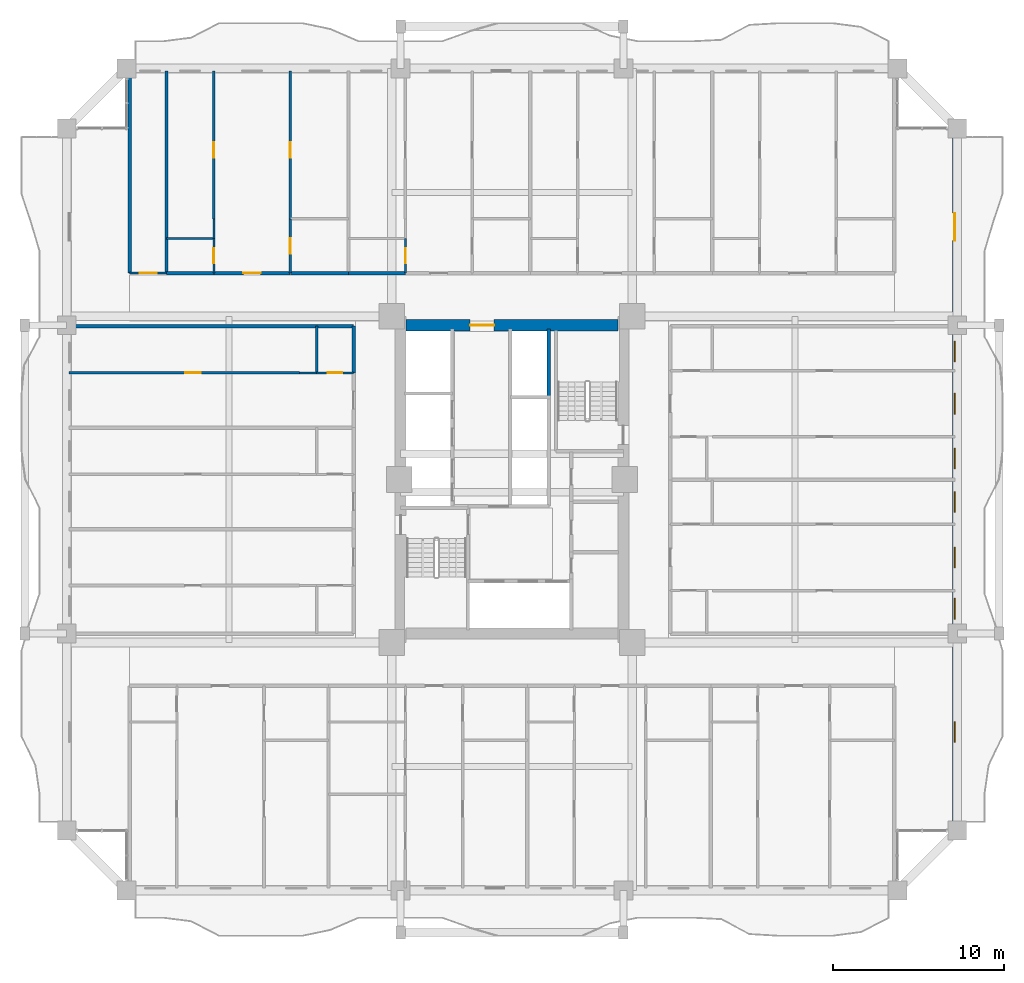
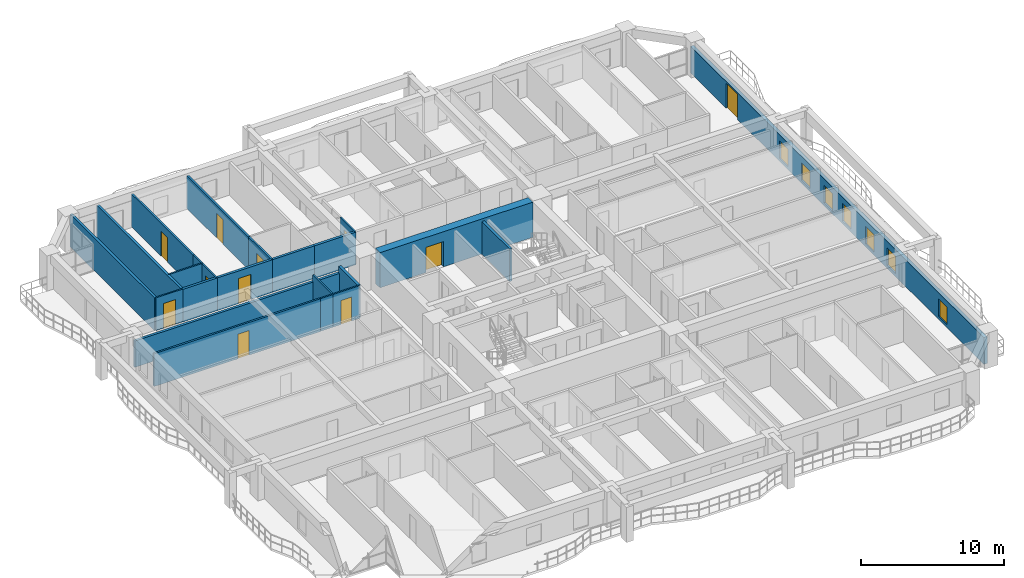
# One storey, part 18 of 27: 23 walls, 11 doors, 7 windows, 18 openings.
"""IFC4 building model written with IfcOpenShell, lengths in metres."""

from ifc_helpers import new_model, si_unit, direction, frame, frame_2d, origin, place, context, subcontext, project, spatial, rectangle, extrude, source, transform, mapped, material, layer, layer_set, type_object, element, fill, save


model = new_model("IFC4")

# Units and contexts
model_context = context("Model", 3, precision=1e-05, world=origin(), true_north=direction((0.0, 1.0)))
body_context = subcontext(model_context, "Body", "Model", "MODEL_VIEW")
ifc_project = project(units=[si_unit("LENGTHUNIT", "METRE"), si_unit("AREAUNIT", "SQUARE_METRE"), si_unit("VOLUMEUNIT", "CUBIC_METRE"), si_unit("PLANEANGLEUNIT", "RADIAN"), si_unit("MASSUNIT", "GRAM", prefix="KILO")], contexts=[model_context])

# Site, building, storey
site_placement = place(None, origin())
site = spatial("IfcSite", under=ifc_project, at=site_placement, CompositionType="ELEMENT")
building_placement = place(site_placement, origin())
building = spatial("IfcBuilding", under=site, at=building_placement, Name="Saelheon Loggia Tower", CompositionType="ELEMENT")
storey_placement = place(building_placement, frame((0.0, 0.0, 34.39990234375)))
storey = spatial("IfcBuildingStorey", under=building, at=storey_placement, Name="L10", CompositionType="ELEMENT", Elevation=34.39990234375)

# Wall, opening, door
ifc_material_1 = material(Name="Concrete C60/75", Category="concrete")
ifc_layer_1 = layer(ifc_material_1, 0.64990234375)
ifc_layer_set_1 = layer_set([ifc_layer_1], Name="Concrete C60/75")
wall_type_1 = type_object("IfcWallType", Name="Wall_CoreShear_650", PredefinedType="SHEAR", material=ifc_layer_set_1)
wall_1_placement = place(storey_placement, frame((31.824951171875, 36.0, 0.0), z_axis=(0.0, 0.0, 1.0), x_axis=(1.0, 0.0, 0.0)))
wall_1 = element("IfcWall", 1, at=wall_1_placement, inside=storey, type_object=wall_type_1, Name="L10 Core Shear Wall North", PredefinedType="SHEAR", context=body_context, shape_type="SweptSolid", body=[
    extrude(rectangle(XDim=12.35009765625, YDim=0.64990234375, at=frame_2d((6.175048828125, 0.0))), origin(), (0.0, 0.0, 1.0), 3.0),
])
opening_1_placement = place(wall_1_placement, frame((5.125, 0.0, 0.0), z_axis=(0.0, 0.0, 1.0), x_axis=(-1.0, 0.0, 0.0)))
opening_1 = element("IfcOpeningElement", 2, at=opening_1_placement, cuts=wall_1, Name="Opening D-FD2L", PredefinedType="OPENING", context=body_context, shape_type="SweptSolid", body=[
    extrude(rectangle(XDim=1.39990234375, YDim=2.14990234375, at=frame_2d((0.699951171875, 1.074951171875))), frame((0.0, 0.3369140625, 0.0), z_axis=(0.0, -1.0, 0.0), x_axis=(1.0, 0.0, 0.0)), (0.0, 0.0, 1.0), 0.673828125),
])
ifc_material_2 = material(Name="Galvanised Steel Glazed Lobby Fire Door", Category="steel")
door_type_1 = type_object("IfcDoorType", Name="Door_Fire_FD60_1400", OperationType="NOTDEFINED", PredefinedType="DOOR", material=ifc_material_2)
shared_shape_1 = source(origin(), body_context, "Body", "SweptSolid", [
    extrude(rectangle(XDim=1.39990234375, YDim=2.14990234375, at=frame_2d((0.699951171875, 1.074951171875))), frame((0.0, 0.02490234375, 0.0), z_axis=(0.0, -1.0, 0.0), x_axis=(1.0, 0.0, 0.0)), (0.0, 0.0, 1.0), 0.050048828125),
])
door_1_placement = place(opening_1_placement, origin())
door_1 = element("IfcDoor", 3, at=door_1_placement, inside=storey, type_object=door_type_1, Name="L10 Passenger Lift Lobby Main Door", OperationType="SINGLE_SWING_RIGHT", OverallHeight=2.14990234375, OverallWidth=1.39990234375, PredefinedType="DOOR", context=body_context, shape_type="MappedRepresentation", body=[
    mapped(shared_shape_1, transform((0.0, 0.0, 0.0), scale=1.0)),
])
fill(opening_1, door_1)

# Wall, openings, windows, door
ifc_material_3 = material(Name="Architectural Precast Concrete C40/50", Category="concrete")
ifc_layer_2 = layer(ifc_material_3, 0.280029296875)
ifc_layer_set_2 = layer_set([ifc_layer_2], Name="Architectural Precast Concrete C40/50")
wall_type_2 = type_object("IfcWallType", Name="Wall_Ext_Loggia_280", PredefinedType="SOLIDWALL", material=ifc_layer_set_2)
wall_2_placement = place(storey_placement, frame((63.860107421875, 6.5, 0.0), z_axis=(0.0, 0.0, 1.0), x_axis=(0.0, 1.0, 0.0)))
wall_2 = element("IfcWall", 4, at=wall_2_placement, inside=storey, type_object=wall_type_2, Name="L10 East Loggia Inner Wall", PredefinedType="SOLIDWALL", context=body_context, shape_type="SweptSolid", body=[
    extrude(rectangle(XDim=41.0, YDim=0.280029296875, at=frame_2d((20.5, 0.0))), origin(), (0.0, 0.0, 1.0), 2.280029296875),
])
opening_2_placement = place(wall_2_placement, frame((5.14990234375, 0.0, 0.25)))
opening_2 = element("IfcOpeningElement", 5, at=opening_2_placement, cuts=wall_2, Name="Opening WN-03", PredefinedType="OPENING", context=body_context, shape_type="SweptSolid", body=[
    extrude(rectangle(XDim=1.199951171875, YDim=1.5, at=frame_2d((0.60009765625, 0.75))), frame((0.0, 0.152099609375, 0.0), z_axis=(0.0, -1.0, 0.0), x_axis=(1.0, 0.0, 0.0)), (0.0, 0.0, 1.0), 0.303955078125),
])
opening_3_placement = place(wall_2_placement, frame((12.3515625, 0.0, 0.25)))
opening_3 = element("IfcOpeningElement", 6, at=opening_3_placement, cuts=wall_2, Name="Opening WN-03", PredefinedType="OPENING", context=body_context, shape_type="SweptSolid", body=[
    extrude(rectangle(XDim=1.199951171875, YDim=1.5, at=frame_2d((0.60009765625, 0.75))), frame((0.0, 0.152099609375, 0.0), z_axis=(0.0, -1.0, 0.0), x_axis=(1.0, 0.0, 0.0)), (0.0, 0.0, 1.0), 0.303955078125),
])
opening_4_placement = place(wall_2_placement, frame((15.343994140625, 0.0, 0.25)))
opening_4 = element("IfcOpeningElement", 7, at=opening_4_placement, cuts=wall_2, Name="Opening WN-03", PredefinedType="OPENING", context=body_context, shape_type="SweptSolid", body=[
    extrude(rectangle(XDim=1.199951171875, YDim=1.5, at=frame_2d((0.60009765625, 0.75))), frame((0.0, 0.152099609375, 0.0), z_axis=(0.0, -1.0, 0.0), x_axis=(1.0, 0.0, 0.0)), (0.0, 0.0, 1.0), 0.303955078125),
])
opening_5_placement = place(wall_2_placement, frame((18.574951171875, 0.0, 0.25)))
opening_5 = element("IfcOpeningElement", 8, at=opening_5_placement, cuts=wall_2, Name="Opening WN-03", PredefinedType="OPENING", context=body_context, shape_type="SweptSolid", body=[
    extrude(rectangle(XDim=1.199951171875, YDim=1.5, at=frame_2d((0.60009765625, 0.75))), frame((0.0, 0.152099609375, 0.0), z_axis=(0.0, -1.0, 0.0), x_axis=(1.0, 0.0, 0.0)), (0.0, 0.0, 1.0), 0.303955078125),
])
opening_6_placement = place(wall_2_placement, frame((21.131591796875, 0.0, 0.25)))
opening_6 = element("IfcOpeningElement", 9, at=opening_6_placement, cuts=wall_2, Name="Opening WN-03", PredefinedType="OPENING", context=body_context, shape_type="SweptSolid", body=[
    extrude(rectangle(XDim=1.199951171875, YDim=1.5, at=frame_2d((0.60009765625, 0.75))), frame((0.0, 0.152099609375, 0.0), z_axis=(0.0, -1.0, 0.0), x_axis=(1.0, 0.0, 0.0)), (0.0, 0.0, 1.0), 0.303955078125),
])
opening_7_placement = place(wall_2_placement, frame((24.319091796875, 0.0, 0.25)))
opening_7 = element("IfcOpeningElement", 10, at=opening_7_placement, cuts=wall_2, Name="Opening WN-03", PredefinedType="OPENING", context=body_context, shape_type="SweptSolid", body=[
    extrude(rectangle(XDim=1.199951171875, YDim=1.5, at=frame_2d((0.60009765625, 0.75))), frame((0.0, 0.152099609375, 0.0), z_axis=(0.0, -1.0, 0.0), x_axis=(1.0, 0.0, 0.0)), (0.0, 0.0, 1.0), 0.303955078125),
])
opening_8_placement = place(wall_2_placement, frame((27.3798828125, 0.0, 0.25)))
opening_8 = element("IfcOpeningElement", 11, at=opening_8_placement, cuts=wall_2, Name="Opening WN-03", PredefinedType="OPENING", context=body_context, shape_type="SweptSolid", body=[
    extrude(rectangle(XDim=1.199951171875, YDim=1.5, at=frame_2d((0.60009765625, 0.75))), frame((0.0, 0.152099609375, 0.0), z_axis=(0.0, -1.0, 0.0), x_axis=(1.0, 0.0, 0.0)), (0.0, 0.0, 1.0), 0.303955078125),
])
opening_9_placement = place(wall_2_placement, frame((36.050048828125, 0.0, 0.0), z_axis=(0.0, 0.0, 1.0), x_axis=(-1.0, 0.0, 0.0)))
opening_9 = element("IfcOpeningElement", 12, at=opening_9_placement, cuts=wall_2, Name="Opening DLG-1", PredefinedType="OPENING", context=body_context, shape_type="SweptSolid", body=[
    extrude(rectangle(XDim=1.60009765625, YDim=2.14990234375, at=frame_2d((0.800048828125, 1.074951171875))), frame((0.0, 0.152099609375, 0.0), z_axis=(0.0, -1.0, 0.0), x_axis=(1.0, 0.0, 0.0)), (0.0, 0.0, 1.0), 0.303955078125),
])
ifc_material_4 = material(Name="Thermal-Break Aluminium and Triple Low-E Glass", Category="aluminium")
window_type = type_object("IfcWindowType", Name="Win_Bedroom_1200x1500", PartitioningType="SINGLE_PANEL", PredefinedType="WINDOW", material=ifc_material_4)
shared_shape_2 = source(origin(), body_context, "Body", "SweptSolid", [
    extrude(rectangle(XDim=1.199951171875, YDim=1.5, at=frame_2d((0.60009765625, 0.75))), frame((0.0, 0.030029296875, 0.0), z_axis=(0.0, -1.0, 0.0), x_axis=(1.0, 0.0, 0.0)), (0.0, 0.0, 1.0), 0.06005859375),
])
window_1_placement = place(opening_2_placement, origin())
window_1 = element("IfcWindow", 13, at=window_1_placement, inside=storey, type_object=window_type, Name="L10 E Dwelling Window 1", OverallHeight=1.5, OverallWidth=1.199951171875, PartitioningType="SINGLE_PANEL", PredefinedType="WINDOW", context=body_context, shape_type="MappedRepresentation", body=[
    mapped(shared_shape_2, transform((0.0, 0.0, 0.0), scale=1.0)),
])
fill(opening_2, window_1)
window_2_placement = place(opening_3_placement, origin())
window_2 = element("IfcWindow", 14, at=window_2_placement, inside=storey, type_object=window_type, Name="L10 E Dwelling Window 2", OverallHeight=1.5, OverallWidth=1.199951171875, PartitioningType="SINGLE_PANEL", PredefinedType="WINDOW", context=body_context, shape_type="MappedRepresentation", body=[
    mapped(shared_shape_2, transform((0.0, 0.0, 0.0), scale=1.0)),
])
fill(opening_3, window_2)
window_3_placement = place(opening_4_placement, origin())
window_3 = element("IfcWindow", 15, at=window_3_placement, inside=storey, type_object=window_type, Name="L10 E Dwelling Window 3", OverallHeight=1.5, OverallWidth=1.199951171875, PartitioningType="SINGLE_PANEL", PredefinedType="WINDOW", context=body_context, shape_type="MappedRepresentation", body=[
    mapped(shared_shape_2, transform((0.0, 0.0, 0.0), scale=1.0)),
])
fill(opening_4, window_3)
window_4_placement = place(opening_5_placement, origin())
window_4 = element("IfcWindow", 16, at=window_4_placement, inside=storey, type_object=window_type, Name="L10 E Dwelling Window 4", OverallHeight=1.5, OverallWidth=1.199951171875, PartitioningType="SINGLE_PANEL", PredefinedType="WINDOW", context=body_context, shape_type="MappedRepresentation", body=[
    mapped(shared_shape_2, transform((0.0, 0.0, 0.0), scale=1.0)),
])
fill(opening_5, window_4)
window_5_placement = place(opening_6_placement, origin())
window_5 = element("IfcWindow", 17, at=window_5_placement, inside=storey, type_object=window_type, Name="L10 E Dwelling Window 5", OverallHeight=1.5, OverallWidth=1.199951171875, PartitioningType="SINGLE_PANEL", PredefinedType="WINDOW", context=body_context, shape_type="MappedRepresentation", body=[
    mapped(shared_shape_2, transform((0.0, 0.0, 0.0), scale=1.0)),
])
fill(opening_6, window_5)
window_6_placement = place(opening_7_placement, origin())
window_6 = element("IfcWindow", 18, at=window_6_placement, inside=storey, type_object=window_type, Name="L10 E Dwelling Window 6", OverallHeight=1.5, OverallWidth=1.199951171875, PartitioningType="SINGLE_PANEL", PredefinedType="WINDOW", context=body_context, shape_type="MappedRepresentation", body=[
    mapped(shared_shape_2, transform((0.0, 0.0, 0.0), scale=1.0)),
])
fill(opening_7, window_6)
window_7_placement = place(opening_8_placement, origin())
window_7 = element("IfcWindow", 19, at=window_7_placement, inside=storey, type_object=window_type, Name="L10 E Dwelling Window 7", OverallHeight=1.5, OverallWidth=1.199951171875, PartitioningType="SINGLE_PANEL", PredefinedType="WINDOW", context=body_context, shape_type="MappedRepresentation", body=[
    mapped(shared_shape_2, transform((0.0, 0.0, 0.0), scale=1.0)),
])
fill(opening_8, window_7)
ifc_material_5 = material(Name="Thermal-Break Aluminium Sliding Glazed Door", Category="aluminium")
door_type_2 = type_object("IfcDoorType", Name="Door_LoggiaSlide_1600", OperationType="SLIDING_TO_LEFT", PredefinedType="DOOR", material=ifc_material_5)
shared_shape_3 = source(origin(), body_context, "Body", "SweptSolid", [
    extrude(rectangle(XDim=1.60009765625, YDim=2.14990234375, at=frame_2d((0.800048828125, 1.074951171875))), frame((0.0, 0.02490234375, 0.0), z_axis=(0.0, -1.0, 0.0), x_axis=(1.0, 0.0, 0.0)), (0.0, 0.0, 1.0), 0.050048828125),
])
door_2_placement = place(opening_9_placement, origin())
door_2 = element("IfcDoor", 20, at=door_2_placement, inside=storey, type_object=door_type_2, Name="L10 E Loggia Access Door", OperationType="SLIDING_TO_LEFT", OverallHeight=2.14990234375, OverallWidth=1.60009765625, PredefinedType="DOOR", context=body_context, shape_type="MappedRepresentation", body=[
    mapped(shared_shape_3, transform((0.0, 0.0, 0.0), scale=1.0)),
])
fill(opening_9, door_2)

# Wall, opening, door
ifc_material_6 = material(Name="Lightweight Autoclaved Aerated Concrete Block and Acoustic Gypsum", Category="concrete")
ifc_layer_3 = layer(ifc_material_6, 0.14990234375)
ifc_layer_set_3 = layer_set([ifc_layer_3], Name="Lightweight Autoclaved Aerated Concrete Block and Acoustic Gypsum")
wall_type_3 = type_object("IfcWallType", Name="Wall_Part_150", PredefinedType="PARTITIONING", material=ifc_layer_set_3)
wall_3_placement = place(storey_placement, frame((20.591796875, 42.219970703125, 0.0), z_axis=(0.0, 0.0, 1.0), x_axis=(0.0, 1.0, 0.0)))
wall_3 = element("IfcWall", 21, at=wall_3_placement, inside=storey, type_object=wall_type_3, Name="L10 N Partition U12", PredefinedType="PARTITIONING", context=body_context, shape_type="SweptSolid", body=[
    extrude(rectangle(XDim=8.630126953125, YDim=0.14990234375, at=frame_2d((4.31494140625, 0.0))), origin(), (0.0, 0.0, 1.0), 2.7900390625),
])
opening_10_placement = place(wall_3_placement, frame((3.56298828125, 0.0, 0.0)))
opening_10 = element("IfcOpeningElement", 22, at=opening_10_placement, cuts=wall_3, Name="Opening D-IN2", PredefinedType="OPENING", context=body_context, shape_type="SweptSolid", body=[
    extrude(rectangle(XDim=0.89990234375, YDim=2.10009765625, at=frame_2d((0.449951171875, 1.050048828125))), frame((0.0, 0.0869140625, 0.0), z_axis=(0.0, -1.0, 0.0), x_axis=(1.0, 0.0, 0.0)), (0.0, 0.0, 1.0), 0.173828125),
])
ifc_material_7 = material(Name="Engineered Oak Flush Door", Category="timber")
door_type_3 = type_object("IfcDoorType", Name="Door_Int_900", OperationType="NOTDEFINED", PredefinedType="DOOR", material=ifc_material_7)
shared_shape_4 = source(origin(), body_context, "Body", "SweptSolid", [
    extrude(rectangle(XDim=0.89990234375, YDim=2.10009765625, at=frame_2d((0.449951171875, 1.050048828125))), frame((0.0, 0.02490234375, 0.0), z_axis=(0.0, -1.0, 0.0), x_axis=(1.0, 0.0, 0.0)), (0.0, 0.0, 1.0), 0.050048828125),
])
door_3_placement = place(opening_10_placement, origin())
door_3 = element("IfcDoor", 23, at=door_3_placement, inside=storey, type_object=door_type_3, Name="Unit U05 Bedroom 2 Door", OperationType="SINGLE_SWING_LEFT", OverallHeight=2.10009765625, OverallWidth=0.89990234375, PredefinedType="DOOR", context=body_context, shape_type="MappedRepresentation", body=[
    mapped(shared_shape_4, transform((0.0, 0.0, 0.0), scale=1.0)),
])
fill(opening_10, door_3)

wall_4_placement = place(storey_placement, frame((25.05322265625, 39.050048828125, 0.0), z_axis=(0.0, 0.0, 1.0), x_axis=(0.0, 1.0, 0.0)))
wall_4 = element("IfcWall", 24, at=wall_4_placement, inside=storey, type_object=wall_type_3, Name="L10 N Partition U13", PredefinedType="PARTITIONING", context=body_context, shape_type="SweptSolid", body=[
    extrude(rectangle(XDim=3.169921875, YDim=0.14990234375, at=frame_2d((1.5849609375, 0.0))), origin(), (0.0, 0.0, 1.0), 2.7900390625),
])
opening_11_placement = place(wall_4_placement, frame((1.135009765625, 0.0, 0.0)))
opening_11 = element("IfcOpeningElement", 25, at=opening_11_placement, cuts=wall_4, Name="Opening D-IN2", PredefinedType="OPENING", context=body_context, shape_type="SweptSolid", body=[
    extrude(rectangle(XDim=0.89990234375, YDim=2.10009765625, at=frame_2d((0.449951171875, 1.050048828125))), frame((0.0, 0.0869140625, 0.0), z_axis=(0.0, -1.0, 0.0), x_axis=(1.0, 0.0, 0.0)), (0.0, 0.0, 1.0), 0.173828125),
])
door_4_placement = place(opening_11_placement, origin())
door_4 = element("IfcDoor", 26, at=door_4_placement, inside=storey, type_object=door_type_3, Name="Unit U05 Kitchen Door", OperationType="SINGLE_SWING_RIGHT", OverallHeight=2.10009765625, OverallWidth=0.89990234375, PredefinedType="DOOR", context=body_context, shape_type="MappedRepresentation", body=[
    mapped(shared_shape_4, transform((0.0, 0.0, 0.0), scale=1.0)),
])
fill(opening_11, door_4)

wall_5_placement = place(storey_placement, frame((25.05322265625, 42.219970703125, 0.0), z_axis=(0.0, 0.0, 1.0), x_axis=(0.0, 1.0, 0.0)))
wall_5 = element("IfcWall", 27, at=wall_5_placement, inside=storey, type_object=wall_type_3, Name="L10 N Partition U14", PredefinedType="PARTITIONING", context=body_context, shape_type="SweptSolid", body=[
    extrude(rectangle(XDim=8.630126953125, YDim=0.14990234375, at=frame_2d((4.31494140625, 0.0))), origin(), (0.0, 0.0, 1.0), 2.7900390625),
])
opening_12_placement = place(wall_5_placement, frame((3.56298828125, 0.0, 0.0)))
opening_12 = element("IfcOpeningElement", 28, at=opening_12_placement, cuts=wall_5, Name="Opening D-IN2", PredefinedType="OPENING", context=body_context, shape_type="SweptSolid", body=[
    extrude(rectangle(XDim=0.89990234375, YDim=2.10009765625, at=frame_2d((0.449951171875, 1.050048828125))), frame((0.0, 0.0869140625, 0.0), z_axis=(0.0, -1.0, 0.0), x_axis=(1.0, 0.0, 0.0)), (0.0, 0.0, 1.0), 0.173828125),
])
door_5_placement = place(opening_12_placement, origin())
door_5 = element("IfcDoor", 29, at=door_5_placement, inside=storey, type_object=door_type_3, Name="Unit U05 Bedroom 1 Door", OperationType="SINGLE_SWING_LEFT", OverallHeight=2.10009765625, OverallWidth=0.89990234375, PredefinedType="DOOR", context=body_context, shape_type="MappedRepresentation", body=[
    mapped(shared_shape_4, transform((0.0, 0.0, 0.0), scale=1.0)),
])
fill(opening_12, door_5)

wall_6_placement = place(storey_placement, frame((25.580078125, 33.22509765625, 0.0), z_axis=(0.0, 0.0, 1.0), x_axis=(-1.0, 0.0, 0.0)))
wall_6 = element("IfcWall", 30, at=wall_6_placement, inside=storey, type_object=wall_type_3, Name="L10 W Partition U22", PredefinedType="PARTITIONING", context=body_context, shape_type="SweptSolid", body=[
    extrude(rectangle(XDim=13.43017578125, YDim=0.14990234375, at=frame_2d((6.715087890625, 0.0))), origin(), (0.0, 0.0, 1.0), 2.7900390625),
])
opening_13_placement = place(wall_6_placement, frame((5.762939453125, 0.0, 0.0)))
opening_13 = element("IfcOpeningElement", 31, at=opening_13_placement, cuts=wall_6, Name="Opening D-IN2", PredefinedType="OPENING", context=body_context, shape_type="SweptSolid", body=[
    extrude(rectangle(XDim=0.89990234375, YDim=2.10009765625, at=frame_2d((0.449951171875, 1.050048828125))), frame((0.0, 0.0869140625, 0.0), z_axis=(0.0, -1.0, 0.0), x_axis=(1.0, 0.0, 0.0)), (0.0, 0.0, 1.0), 0.173828125),
])
door_6_placement = place(opening_13_placement, origin())
door_6 = element("IfcDoor", 32, at=door_6_placement, inside=storey, type_object=door_type_3, Name="Unit U11 Kitchen Door", OperationType="SINGLE_SWING_LEFT", OverallHeight=2.10009765625, OverallWidth=0.89990234375, PredefinedType="DOOR", context=body_context, shape_type="MappedRepresentation", body=[
    mapped(shared_shape_4, transform((0.0, 0.0, 0.0), scale=1.0)),
])
fill(opening_13, door_6)

# Walls
ifc_material_8 = material(Name="Double Acoustic Stud and Fireboard Partition", Category="gypsum")
ifc_layer_4 = layer(ifc_material_8, 0.199951171875)
ifc_layer_set_4 = layer_set([ifc_layer_4], Name="Double Acoustic Stud and Fireboard Partition")
wall_type_4 = type_object("IfcWallType", Name="Wall_Party_200", PredefinedType="PARTITIONING", material=ifc_layer_set_4)
for number, where, z_axis, x_axis, name in (
    (33, (15.679931640625, 39.050048828125, 0.0), (0.0, 0.0, 1.0), (0.0, 1.0, 0.0), "L10 N Partition U01"),
    (34, (17.830078125, 39.050048828125, 0.0), (0.0, 0.0, 1.0), (0.0, 1.0, 0.0), "L10 N Partition U03"),
):
    element("IfcWall", number, at=place(storey_placement, frame(where, z_axis=z_axis, x_axis=x_axis)), inside=storey, type_object=wall_type_4, Name=name, PredefinedType="PARTITIONING", context=body_context, shape_type="SweptSolid", body=[
        extrude(rectangle(XDim=11.800048828125, YDim=0.199951171875, at=frame_2d((5.89990234375, 0.0))), origin(), (0.0, 0.0, 1.0), 2.7900390625),
    ])
wall_7_placement = place(storey_placement, frame((17.830078125, 39.050048828125, 0.0), z_axis=(0.0, 0.0, 1.0), x_axis=(1.0, 0.0, 0.0)))
element("IfcWall", 35, at=wall_7_placement, inside=storey, type_object=wall_type_4, Name="L10 N Partition V05", PredefinedType="PARTITIONING", context=body_context, shape_type="SweptSolid", body=[
    extrude(rectangle(XDim=2.76171875, YDim=0.199951171875, at=frame_2d((1.380859375, 0.0))), origin(), (0.0, 0.0, 1.0), 2.7900390625),
])

# Wall, opening, door
wall_8_placement = place(storey_placement, frame((20.591796875, 39.050048828125, 0.0), z_axis=(0.0, 0.0, 1.0), x_axis=(1.0, 0.0, 0.0)))
wall_8 = element("IfcWall", 36, at=wall_8_placement, inside=storey, type_object=wall_type_4, Name="L10 N Partition V06", PredefinedType="PARTITIONING", context=body_context, shape_type="SweptSolid", body=[
    extrude(rectangle(XDim=4.46142578125, YDim=0.199951171875, at=frame_2d((2.230712890625, 0.0))), origin(), (0.0, 0.0, 1.0), 2.7900390625),
])
opening_14_placement = place(wall_8_placement, frame((1.730712890625, 0.0, 0.0)))
opening_14 = element("IfcOpeningElement", 37, at=opening_14_placement, cuts=wall_8, Name="Opening D-FD1", PredefinedType="OPENING", context=body_context, shape_type="SweptSolid", body=[
    extrude(rectangle(XDim=1.0, YDim=2.14990234375, at=frame_2d((0.5, 1.074951171875))), frame((0.0, 0.112060546875, 0.0), z_axis=(0.0, -1.0, 0.0), x_axis=(1.0, 0.0, 0.0)), (0.0, 0.0, 1.0), 0.223876953125),
])
ifc_material_9 = material(Name="Fire-Rated Engineered Timber Entrance Door", Category="wood")
door_type_4 = type_object("IfcDoorType", Name="Door_Flat_FD30S", OperationType="NOTDEFINED", PredefinedType="DOOR", material=ifc_material_9)
shared_shape_5 = source(origin(), body_context, "Body", "SweptSolid", [
    extrude(rectangle(XDim=1.0, YDim=2.14990234375, at=frame_2d((0.5, 1.074951171875))), frame((0.0, 0.02490234375, 0.0), z_axis=(0.0, -1.0, 0.0), x_axis=(1.0, 0.0, 0.0)), (0.0, 0.0, 1.0), 0.050048828125),
])
door_7_placement = place(opening_14_placement, origin())
door_7 = element("IfcDoor", 38, at=door_7_placement, inside=storey, type_object=door_type_4, Name="Unit U05 Entrance Door", OperationType="SINGLE_SWING_LEFT", OverallHeight=2.14990234375, OverallWidth=1.0, PredefinedType="DOOR", context=body_context, shape_type="MappedRepresentation", body=[
    mapped(shared_shape_5, transform((0.0, 0.0, 0.0), scale=1.0)),
])
fill(opening_14, door_7)

# Walls
wall_9_placement = place(storey_placement, frame((25.05322265625, 39.050048828125, 0.0), z_axis=(0.0, 0.0, 1.0), x_axis=(1.0, 0.0, 0.0)))
element("IfcWall", 39, at=wall_9_placement, inside=storey, type_object=wall_type_4, Name="L10 N Partition V07", PredefinedType="PARTITIONING", context=body_context, shape_type="SweptSolid", body=[
    extrude(rectangle(XDim=3.399169921875, YDim=0.199951171875, at=frame_2d((1.69970703125, 0.0))), origin(), (0.0, 0.0, 1.0), 2.7900390625),
])
wall_10_placement = place(storey_placement, frame((28.452392578125, 39.050048828125, 0.0), z_axis=(0.0, 0.0, 1.0), x_axis=(1.0, 0.0, 0.0)))
element("IfcWall", 40, at=wall_10_placement, inside=storey, type_object=wall_type_4, Name="L10 N Partition V16", PredefinedType="PARTITIONING", context=body_context, shape_type="SweptSolid", body=[
    extrude(rectangle(XDim=3.32763671875, YDim=0.199951171875, at=frame_2d((1.663818359375, 0.0))), origin(), (0.0, 0.0, 1.0), 2.7900390625),
])
wall_11_placement = place(storey_placement, frame((28.75, 35.949951171875, 0.0), z_axis=(0.0, 0.0, 1.0), x_axis=(-1.0, 0.0, 0.0)))
element("IfcWall", 41, at=wall_11_placement, inside=storey, type_object=wall_type_4, Name="L10 W Partition U02", PredefinedType="PARTITIONING", context=body_context, shape_type="SweptSolid", body=[
    extrude(rectangle(XDim=16.60009765625, YDim=0.199951171875, at=frame_2d((8.300048828125, 0.0))), origin(), (0.0, 0.0, 1.0), 2.239990234375),
])
wall_12_placement = place(storey_placement, frame((28.75, 33.22509765625, 0.0), z_axis=(0.0, 0.0, 1.0), x_axis=(0.0, 1.0, 0.0)))
element("IfcWall", 42, at=wall_12_placement, inside=storey, type_object=wall_type_4, Name="L10 W Partition V18", PredefinedType="PARTITIONING", context=body_context, shape_type="SweptSolid", body=[
    extrude(rectangle(XDim=2.724853515625, YDim=0.199951171875, at=frame_2d((1.3623046875, 0.0))), origin(), (0.0, 0.0, 1.0), 2.7900390625),
])
ifc_material_10 = material(Name="Concrete C40/50", Category="concrete")
ifc_layer_5 = layer(ifc_material_10, 0.199951171875)
ifc_layer_set_5 = layer_set([ifc_layer_5], Name="Concrete C40/50")
wall_type_5 = type_object("IfcWallType", Name="Wall_Shaft_200", PredefinedType="PARTITIONING", material=ifc_layer_set_5)
wall_13_placement = place(storey_placement, frame((40.14990234375, 31.800048828125, 0.0), z_axis=(0.0, 0.0, 1.0), x_axis=(0.0, 1.0, 0.0)))
element("IfcWall", 43, at=wall_13_placement, inside=storey, type_object=wall_type_5, Name="L10 East High-Rise Hoistway East Wall", PredefinedType="PARTITIONING", context=body_context, shape_type="SweptSolid", body=[
    extrude(rectangle(XDim=3.97998046875, YDim=0.199951171875, at=frame_2d((1.989990234375, 0.0))), origin(), (0.0, 0.0, 1.0), 2.7900390625),
])

# Wall, opening, door
ifc_material_11 = material(Name="Moisture-Resistant Cement Board Partition", Category="gypsum")
ifc_layer_6 = layer(ifc_material_11, 0.1201171875)
ifc_layer_set_6 = layer_set([ifc_layer_6], Name="Moisture-Resistant Cement Board Partition")
wall_type_6 = type_object("IfcWallType", Name="Wall_WetPart_120", PredefinedType="PARTITIONING", material=ifc_layer_set_6)
wall_14_placement = place(storey_placement, frame((15.679931640625, 39.050048828125, 0.0), z_axis=(0.0, 0.0, 1.0), x_axis=(1.0, 0.0, 0.0)))
wall_14 = element("IfcWall", 44, at=wall_14_placement, inside=storey, type_object=wall_type_6, Name="L10 N Partition V04", PredefinedType="PARTITIONING", context=body_context, shape_type="SweptSolid", body=[
    extrude(rectangle(XDim=2.150146484375, YDim=0.1201171875, at=frame_2d((1.0751953125, 0.0))), origin(), (0.0, 0.0, 1.0), 2.7900390625),
])
opening_15_placement = place(wall_14_placement, frame((0.574951171875, 0.0, 0.0)))
opening_15 = element("IfcOpeningElement", 45, at=opening_15_placement, cuts=wall_14, Name="Opening D-AC1", PredefinedType="OPENING", context=body_context, shape_type="SweptSolid", body=[
    extrude(rectangle(XDim=1.0, YDim=2.10009765625, at=frame_2d((0.5, 1.050048828125))), frame((0.0, 0.072021484375, 0.0), z_axis=(0.0, -1.0, 0.0), x_axis=(1.0, 0.0, 0.0)), (0.0, 0.0, 1.0), 0.14404296875),
])
ifc_material_12 = material(Name="Accessible Laminate Flush Door", Category="timber")
door_type_5 = type_object("IfcDoorType", Name="Door_Acc_1000", OperationType="NOTDEFINED", PredefinedType="DOOR", material=ifc_material_12)
shared_shape_6 = source(origin(), body_context, "Body", "SweptSolid", [
    extrude(rectangle(XDim=1.0, YDim=2.10009765625, at=frame_2d((0.5, 1.050048828125))), frame((0.0, 0.02490234375, 0.0), z_axis=(0.0, -1.0, 0.0), x_axis=(1.0, 0.0, 0.0)), (0.0, 0.0, 1.0), 0.050048828125),
])
door_8_placement = place(opening_15_placement, origin())
door_8 = element("IfcDoor", 46, at=door_8_placement, inside=storey, type_object=door_type_5, Name="L10 Floor Accessible WC Door", OperationType="SINGLE_SWING_RIGHT", OverallHeight=2.10009765625, OverallWidth=1.0, PredefinedType="DOOR", context=body_context, shape_type="MappedRepresentation", body=[
    mapped(shared_shape_6, transform((0.0, 0.0, 0.0), scale=1.0)),
])
fill(opening_15, door_8)

# Wall
wall_15_placement = place(storey_placement, frame((17.830078125, 41.070068359375, 0.0), z_axis=(0.0, 0.0, 1.0), x_axis=(1.0, 0.0, 0.0)))
element("IfcWall", 47, at=wall_15_placement, inside=storey, type_object=wall_type_6, Name="L10 N Partition V08", PredefinedType="PARTITIONING", context=body_context, shape_type="SweptSolid", body=[
    extrude(rectangle(XDim=2.76171875, YDim=0.1201171875, at=frame_2d((1.380859375, 0.0))), origin(), (0.0, 0.0, 1.0), 2.7900390625),
])

# Wall, opening, door
wall_16_placement = place(storey_placement, frame((20.591796875, 39.050048828125, 0.0), z_axis=(0.0, 0.0, 1.0), x_axis=(0.0, 1.0, 0.0)))
wall_16 = element("IfcWall", 48, at=wall_16_placement, inside=storey, type_object=wall_type_6, Name="L10 N Partition U10", PredefinedType="PARTITIONING", context=body_context, shape_type="SweptSolid", body=[
    extrude(rectangle(XDim=2.02001953125, YDim=0.1201171875, at=frame_2d((1.010009765625, 0.0))), origin(), (0.0, 0.0, 1.0), 2.7900390625),
])
opening_16_placement = place(wall_16_placement, frame((0.5849609375, 0.0, 0.0)))
opening_16 = element("IfcOpeningElement", 49, at=opening_16_placement, cuts=wall_16, Name="Opening D-BT1", PredefinedType="OPENING", context=body_context, shape_type="SweptSolid", body=[
    extrude(rectangle(XDim=0.85009765625, YDim=2.050048828125, at=frame_2d((0.425048828125, 1.02490234375))), frame((0.0, 0.072021484375, 0.0), z_axis=(0.0, -1.0, 0.0), x_axis=(1.0, 0.0, 0.0)), (0.0, 0.0, 1.0), 0.14404296875),
])
ifc_material_13 = material(Name="Moisture-Resistant Laminate Timber Door", Category="wood")
door_type_6 = type_object("IfcDoorType", Name="Door_Bath_850", OperationType="NOTDEFINED", PredefinedType="DOOR", material=ifc_material_13)
shared_shape_7 = source(origin(), body_context, "Body", "SweptSolid", [
    extrude(rectangle(XDim=0.85009765625, YDim=2.050048828125, at=frame_2d((0.425048828125, 1.02490234375))), frame((0.0, 0.02490234375, 0.0), z_axis=(0.0, -1.0, 0.0), x_axis=(1.0, 0.0, 0.0)), (0.0, 0.0, 1.0), 0.050048828125),
])
door_9_placement = place(opening_16_placement, origin())
door_9 = element("IfcDoor", 50, at=door_9_placement, inside=storey, type_object=door_type_6, Name="Unit U05 Bathroom Door", OperationType="SINGLE_SWING_RIGHT", OverallHeight=2.050048828125, OverallWidth=0.85009765625, PredefinedType="DOOR", context=body_context, shape_type="MappedRepresentation", body=[
    mapped(shared_shape_7, transform((0.0, 0.0, 0.0), scale=1.0)),
])
fill(opening_16, door_9)

# Wall
wall_17_placement = place(storey_placement, frame((20.591796875, 41.070068359375, 0.0), z_axis=(0.0, 0.0, 1.0), x_axis=(0.0, 1.0, 0.0)))
element("IfcWall", 51, at=wall_17_placement, inside=storey, type_object=wall_type_6, Name="L10 N Partition U11", PredefinedType="PARTITIONING", context=body_context, shape_type="SweptSolid", body=[
    extrude(rectangle(XDim=1.14990234375, YDim=0.1201171875, at=frame_2d((0.574951171875, 0.0))), origin(), (0.0, 0.0, 1.0), 2.7900390625),
])

# Wall, opening, door
wall_18_placement = place(storey_placement, frame((31.780029296875, 39.050048828125, 0.0), z_axis=(0.0, 0.0, 1.0), x_axis=(0.0, 1.0, 0.0)))
wall_18 = element("IfcWall", 52, at=wall_18_placement, inside=storey, type_object=wall_type_6, Name="L10 N Partition U21", PredefinedType="PARTITIONING", context=body_context, shape_type="SweptSolid", body=[
    extrude(rectangle(XDim=2.02001953125, YDim=0.1201171875, at=frame_2d((1.010009765625, 0.0))), origin(), (0.0, 0.0, 1.0), 2.7900390625),
])
opening_17_placement = place(wall_18_placement, frame((0.5849609375, 0.0, 0.0)))
opening_17 = element("IfcOpeningElement", 53, at=opening_17_placement, cuts=wall_18, Name="Opening D-BT1", PredefinedType="OPENING", context=body_context, shape_type="SweptSolid", body=[
    extrude(rectangle(XDim=0.85009765625, YDim=2.050048828125, at=frame_2d((0.425048828125, 1.02490234375))), frame((0.0, 0.072021484375, 0.0), z_axis=(0.0, -1.0, 0.0), x_axis=(1.0, 0.0, 0.0)), (0.0, 0.0, 1.0), 0.14404296875),
])
door_10_placement = place(opening_17_placement, origin())
door_10 = element("IfcDoor", 54, at=door_10_placement, inside=storey, type_object=door_type_6, Name="Unit U06 Bathroom Door", OperationType="SINGLE_SWING_LEFT", OverallHeight=2.050048828125, OverallWidth=0.85009765625, PredefinedType="DOOR", context=body_context, shape_type="MappedRepresentation", body=[
    mapped(shared_shape_7, transform((0.0, 0.0, 0.0), scale=1.0)),
])
fill(opening_17, door_10)

wall_19_placement = place(storey_placement, frame((28.75, 33.22509765625, 0.0), z_axis=(0.0, 0.0, 1.0), x_axis=(-1.0, 0.0, 0.0)))
wall_19 = element("IfcWall", 55, at=wall_19_placement, inside=storey, type_object=wall_type_6, Name="L10 W Partition U19", PredefinedType="PARTITIONING", context=body_context, shape_type="SweptSolid", body=[
    extrude(rectangle(XDim=2.14990234375, YDim=0.1201171875, at=frame_2d((1.074951171875, 0.0))), origin(), (0.0, 0.0, 1.0), 2.7900390625),
])
opening_18_placement = place(wall_19_placement, frame((0.64990234375, 0.0, 0.0)))
opening_18 = element("IfcOpeningElement", 56, at=opening_18_placement, cuts=wall_19, Name="Opening D-BT1", PredefinedType="OPENING", context=body_context, shape_type="SweptSolid", body=[
    extrude(rectangle(XDim=0.85009765625, YDim=2.050048828125, at=frame_2d((0.425048828125, 1.02490234375))), frame((0.0, 0.072021484375, 0.0), z_axis=(0.0, -1.0, 0.0), x_axis=(1.0, 0.0, 0.0)), (0.0, 0.0, 1.0), 0.14404296875),
])
door_11_placement = place(opening_18_placement, origin())
door_11 = element("IfcDoor", 57, at=door_11_placement, inside=storey, type_object=door_type_6, Name="Unit U11 Bathroom Door", OperationType="SINGLE_SWING_RIGHT", OverallHeight=2.050048828125, OverallWidth=0.85009765625, PredefinedType="DOOR", context=body_context, shape_type="MappedRepresentation", body=[
    mapped(shared_shape_7, transform((0.0, 0.0, 0.0), scale=1.0)),
])
fill(opening_18, door_11)

# Walls
wall_20_placement = place(storey_placement, frame((26.60009765625, 33.22509765625, 0.0), z_axis=(0.0, 0.0, 1.0), x_axis=(-1.0, 0.0, 0.0)))
element("IfcWall", 58, at=wall_20_placement, inside=storey, type_object=wall_type_6, Name="L10 W Partition U20", PredefinedType="PARTITIONING", context=body_context, shape_type="SweptSolid", body=[
    extrude(rectangle(XDim=1.02001953125, YDim=0.1201171875, at=frame_2d((0.510009765625, 0.0))), origin(), (0.0, 0.0, 1.0), 2.7900390625),
])
wall_21_placement = place(storey_placement, frame((26.60009765625, 33.22509765625, 0.0), z_axis=(0.0, 0.0, 1.0), x_axis=(0.0, 1.0, 0.0)))
element("IfcWall", 59, at=wall_21_placement, inside=storey, type_object=wall_type_6, Name="L10 W Partition V21", PredefinedType="PARTITIONING", context=body_context, shape_type="SweptSolid", body=[
    extrude(rectangle(XDim=2.724853515625, YDim=0.1201171875, at=frame_2d((1.3623046875, 0.0))), origin(), (0.0, 0.0, 1.0), 2.7900390625),
])

save(model, "model.ifc")
